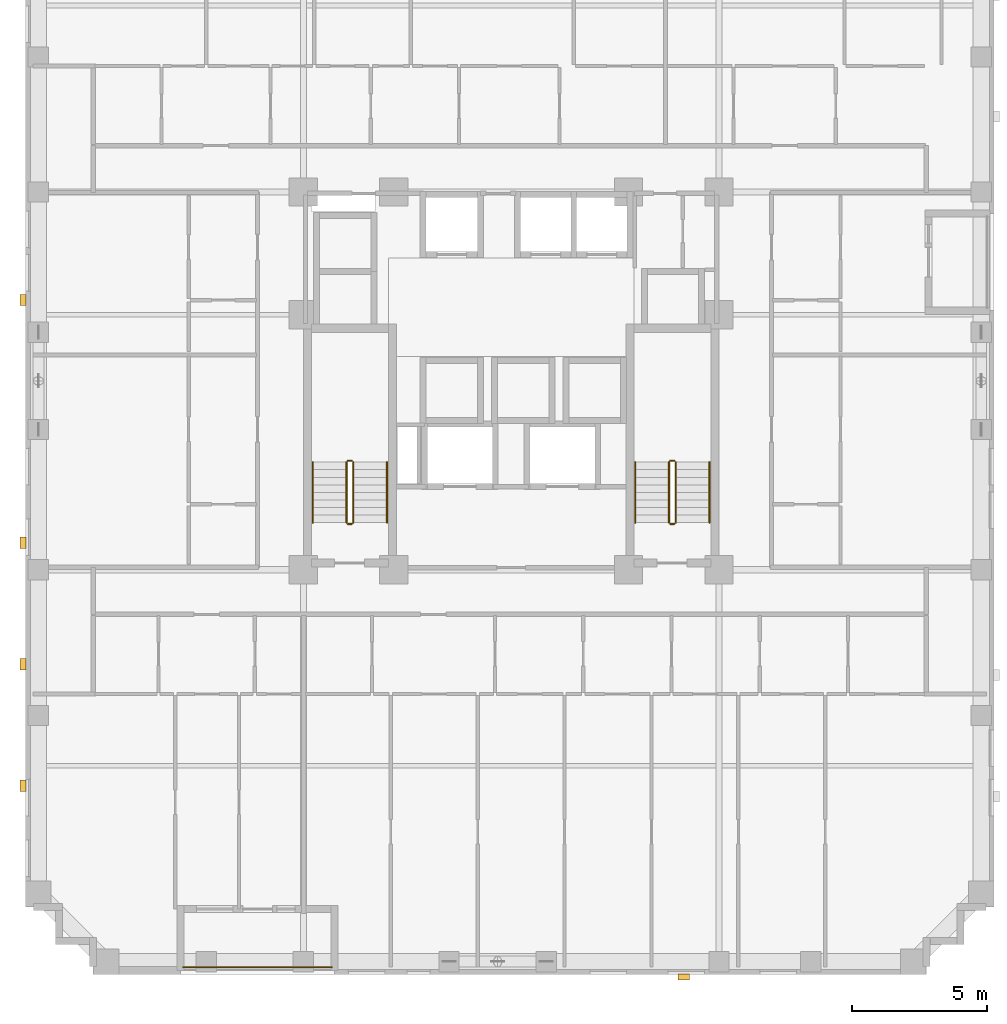
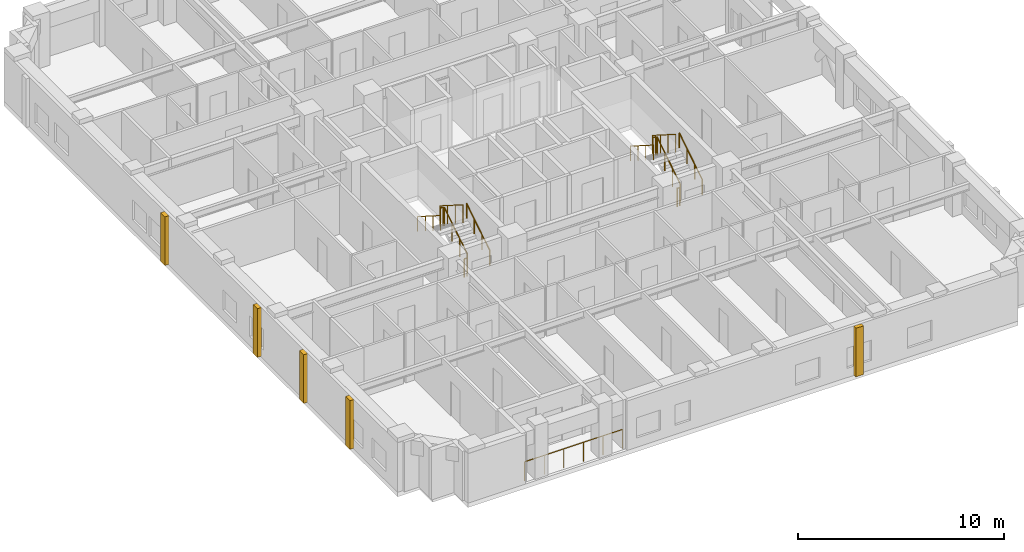
# One storey, part 11 of 12: 13 railings, 5 coverings.
"""IFC4 building model written with IfcOpenShell, lengths in metres."""

from ifc_helpers import new_model, si_unit, derived_unit, direction, frame, origin, origin_2d, place, context, subcontext, project, spatial, rectangle, circle, extrude, material, layer, layer_set, type_object, element, save


model = new_model("IFC4")

# Units and contexts
model_context = context("Model", 3, precision=1e-05, world=origin(), true_north=direction((0.0, 1.0)))
body_context = subcontext(model_context, "Body", "Model", "MODEL_VIEW")
ifc_project = project(units=[si_unit("LENGTHUNIT", "METRE"), si_unit("AREAUNIT", "SQUARE_METRE"), si_unit("VOLUMEUNIT", "CUBIC_METRE"), si_unit("PLANEANGLEUNIT", "RADIAN"), si_unit("MASSUNIT", "GRAM", prefix="KILO"), derived_unit("THERMALTRANSMITTANCEUNIT", [(si_unit("MASSUNIT", "GRAM", prefix="KILO"), 1), (si_unit("TIMEUNIT", "SECOND"), -3), (si_unit("THERMODYNAMICTEMPERATUREUNIT", "KELVIN"), -1)])], contexts=[model_context])

# Site, building, storey
site_placement = place(None, origin())
site = spatial("IfcSite", under=ifc_project, at=site_placement, CompositionType="ELEMENT")
building_placement = place(site_placement, origin())
building = spatial("IfcBuilding", under=site, at=building_placement, Name="Korrvale Station Residences", CompositionType="ELEMENT")
storey_placement = place(building_placement, frame((0.0, 0.0, 113.5)))
storey = spatial("IfcBuildingStorey", under=building, at=storey_placement, Name="L32", CompositionType="ELEMENT", Elevation=113.5)

# Coverings
ifc_material_1 = material(Name="Architectural precast concrete C45/55", Category="concrete")
ifc_layer = layer(ifc_material_1, 0.219970703125, Name="Architectural precast concrete C45/55")
ifc_layer_set = layer_set([ifc_layer], Name="Architectural precast concrete C45/55")
covering_type = type_object("IfcCoveringType", Name="COV-PIER-400", PredefinedType="CLADDING", material=ifc_layer_set)
for number, where, z_axis, x_axis, name in (
    (1, (31.89990234375, -0.090087890625, 0.02490234375), (0.0, 0.0, 1.0), (1.0, 0.0, 0.0), "L32 Architectural Precast Facade Pier 01"),
    (2, (7.409912109375, 7.0, 0.02490234375), (0.0, 0.0, 1.0), (0.0, 1.0, 0.0), "L32 Architectural Precast Facade Pier 04"),
    (3, (7.409912109375, 11.5, 0.02490234375), (0.0, 0.0, 1.0), (0.0, 1.0, 0.0), "L32 Architectural Precast Facade Pier 05"),
    (4, (7.409912109375, 16.0, 0.02490234375), (0.0, 0.0, 1.0), (0.0, 1.0, 0.0), "L32 Architectural Precast Facade Pier 06"),
    (5, (7.409912109375, 25.0, 0.02490234375), (0.0, 0.0, 1.0), (0.0, 1.0, 0.0), "L32 Architectural Precast Facade Pier 07"),
):
    element("IfcCovering", number, at=place(storey_placement, frame(where, z_axis=z_axis, x_axis=x_axis)), inside=storey, type_object=covering_type, Name=name, PredefinedType="CLADDING", context=body_context, shape_type="SweptSolid", body=[
        extrude(rectangle(XDim=0.419921875, YDim=0.219970703125, at=origin_2d()), origin(), (0.0, 0.0, 1.0), 2.889892578125),
    ])

# Railings
ifc_material_2 = material(Name="Powder-coated aluminium picket loggia guard", Category="aluminium")
railing_type_1 = type_object("IfcRailingType", Name="RLG-BAL-1150", PredefinedType="GUARDRAIL", material=ifc_material_2)
railing_1_placement = place(storey_placement, frame((13.35009765625, 0.27001953125, 0.0)))
element("IfcRailing", 6, at=railing_1_placement, inside=storey, type_object=railing_type_1, Name="L32 Recessed Loggia Guardrail BAL-L32-S1", PredefinedType="GUARDRAIL", context=body_context, shape_type="SweptSolid", body=[
    extrude(circle(Radius=0.02392578125, at=origin_2d()), frame((0.0, 0.0, 1.1259765625), z_axis=(1.0, 0.0, 0.0), x_axis=(0.0, 1.0, 0.0)), (0.0, 0.0, 1.0), 5.5),
    extrude(circle(Radius=0.02099609375, at=origin_2d()), origin(), (0.0, 0.0, 1.0), 1.101806640625),
    extrude(circle(Radius=0.02099609375, at=origin_2d()), frame((1.10009765625, 0.0, 0.0)), (0.0, 0.0, 1.0), 1.101806640625),
    extrude(circle(Radius=0.02099609375, at=origin_2d()), frame((2.199951171875, 0.0, 0.0)), (0.0, 0.0, 1.0), 1.101806640625),
    extrude(circle(Radius=0.02099609375, at=origin_2d()), frame((3.300048828125, 0.0, 0.0)), (0.0, 0.0, 1.0), 1.101806640625),
    extrude(circle(Radius=0.02099609375, at=origin_2d()), frame((4.39990234375, 0.0, 0.0)), (0.0, 0.0, 1.0), 1.101806640625),
    extrude(circle(Radius=0.02099609375, at=origin_2d()), frame((5.5, 0.0, 0.0)), (0.0, 0.0, 1.0), 1.101806640625),
])
ifc_material_3 = material(Name="Brushed stainless-steel continuous stair handrail", Category="steel")
railing_type_2 = type_object("IfcRailingType", Name="RLG-SHND-900", PredefinedType="HANDRAIL", material=ifc_material_3)
railing_2_placement = place(storey_placement, frame((20.89990234375, 16.75, 0.177734375)))
element("IfcRailing", 7, at=railing_2_placement, inside=storey, type_object=railing_type_2, Name="L32 ST-1 stair handrail 1", PredefinedType="HANDRAIL", context=body_context, shape_type="SweptSolid", body=[
    extrude(circle(Radius=0.02392578125, at=origin_2d()), frame((0.0, 0.0, 0.8759765625), z_axis=(0.0, 0.84418770128, 0.536047689118), x_axis=(-1.0, 0.0, 0.0)), (0.0, 0.0, 1.0), 2.6533203125),
    extrude(circle(Radius=0.02099609375, at=origin_2d()), origin(), (0.0, 0.0, 1.0), 0.851806640625),
    extrude(circle(Radius=0.02099609375, at=origin_2d()), frame((0.0, 0.74658203125, 0.47412109375)), (0.0, 0.0, 1.0), 0.851806640625),
    extrude(circle(Radius=0.02099609375, at=origin_2d()), frame((0.0, 1.493408203125, 0.9482421875)), (0.0, 0.0, 1.0), 0.851806640625),
    extrude(circle(Radius=0.02099609375, at=origin_2d()), frame((0.0, 2.239990234375, 1.42236328125)), (0.0, 0.0, 1.0), 0.851806640625),
])
railing_3_placement = place(storey_placement, frame((18.14990234375, 18.989990234375, 1.77783203125)))
element("IfcRailing", 8, at=railing_3_placement, inside=storey, type_object=railing_type_2, Name="L32 ST-1 stair handrail 2", PredefinedType="HANDRAIL", context=body_context, shape_type="SweptSolid", body=[
    extrude(circle(Radius=0.02392578125, at=origin_2d()), frame((0.0, 0.0, 0.8759765625), z_axis=(0.0, -0.8442293374, 0.53598211339), x_axis=(1.0, 0.0, 0.0)), (0.0, 0.0, 1.0), 2.6533203125),
    extrude(circle(Radius=0.02099609375, at=origin_2d()), origin(), (0.0, 0.0, 1.0), 0.851806640625),
    extrude(circle(Radius=0.02099609375, at=origin_2d()), frame((0.0, -0.74658203125, 0.47412109375)), (0.0, 0.0, 1.0), 0.851806640625),
    extrude(circle(Radius=0.02099609375, at=origin_2d()), frame((0.0, -1.493408203125, 0.947998046875)), (0.0, 0.0, 1.0), 0.851806640625),
    extrude(circle(Radius=0.02099609375, at=origin_2d()), frame((0.0, -2.239990234375, 1.422119140625)), (0.0, 0.0, 1.0), 0.851806640625),
])
railing_4_placement = place(storey_placement, frame((32.85009765625, 16.75, 0.177734375)))
element("IfcRailing", 9, at=railing_4_placement, inside=storey, type_object=railing_type_2, Name="L32 ST-2 stair handrail 1", PredefinedType="HANDRAIL", context=body_context, shape_type="SweptSolid", body=[
    extrude(circle(Radius=0.02392578125, at=origin_2d()), frame((0.0, 0.0, 0.8759765625), z_axis=(0.0, 0.84418770128, 0.536047689118), x_axis=(-1.0, 0.0, 0.0)), (0.0, 0.0, 1.0), 2.6533203125),
    extrude(circle(Radius=0.02099609375, at=origin_2d()), origin(), (0.0, 0.0, 1.0), 0.851806640625),
    extrude(circle(Radius=0.02099609375, at=origin_2d()), frame((0.0, 0.74658203125, 0.47412109375)), (0.0, 0.0, 1.0), 0.851806640625),
    extrude(circle(Radius=0.02099609375, at=origin_2d()), frame((0.0, 1.493408203125, 0.9482421875)), (0.0, 0.0, 1.0), 0.851806640625),
    extrude(circle(Radius=0.02099609375, at=origin_2d()), frame((0.0, 2.239990234375, 1.42236328125)), (0.0, 0.0, 1.0), 0.851806640625),
])
railing_5_placement = place(storey_placement, frame((30.10009765625, 18.989990234375, 1.77783203125)))
element("IfcRailing", 10, at=railing_5_placement, inside=storey, type_object=railing_type_2, Name="L32 ST-2 stair handrail 2", PredefinedType="HANDRAIL", context=body_context, shape_type="SweptSolid", body=[
    extrude(circle(Radius=0.02392578125, at=origin_2d()), frame((0.0, 0.0, 0.8759765625), z_axis=(0.0, -0.8442293374, 0.53598211339), x_axis=(1.0, 0.0, 0.0)), (0.0, 0.0, 1.0), 2.6533203125),
    extrude(circle(Radius=0.02099609375, at=origin_2d()), origin(), (0.0, 0.0, 1.0), 0.851806640625),
    extrude(circle(Radius=0.02099609375, at=origin_2d()), frame((0.0, -0.74658203125, 0.47412109375)), (0.0, 0.0, 1.0), 0.851806640625),
    extrude(circle(Radius=0.02099609375, at=origin_2d()), frame((0.0, -1.493408203125, 0.947998046875)), (0.0, 0.0, 1.0), 0.851806640625),
    extrude(circle(Radius=0.02099609375, at=origin_2d()), frame((0.0, -2.239990234375, 1.422119140625)), (0.0, 0.0, 1.0), 0.851806640625),
])
ifc_material_4 = material(Name="Galvanised painted tubular steel stair guard", Category="steel")
railing_type_3 = type_object("IfcRailingType", Name="RLG-STR-1100", PredefinedType="GUARDRAIL", material=ifc_material_4)
railing_6_placement = place(storey_placement, frame((19.64990234375, 16.75, 0.177734375)))
element("IfcRailing", 11, at=railing_6_placement, inside=storey, type_object=railing_type_3, Name="L32 ST-1 stair guard 1", PredefinedType="GUARDRAIL", context=body_context, shape_type="SweptSolid", body=[
    extrude(circle(Radius=0.02392578125, at=origin_2d()), frame((0.0, 0.0, 1.076171875), z_axis=(0.0, 0.84418770128, 0.536047689118), x_axis=(-1.0, 0.0, 0.0)), (0.0, 0.0, 1.0), 2.6533203125),
    extrude(circle(Radius=0.02099609375, at=origin_2d()), origin(), (0.0, 0.0, 1.0), 1.052001953125),
    extrude(circle(Radius=0.02099609375, at=origin_2d()), frame((0.0, 0.74658203125, 0.47412109375)), (0.0, 0.0, 1.0), 1.052001953125),
    extrude(circle(Radius=0.02099609375, at=origin_2d()), frame((0.0, 1.493408203125, 0.9482421875)), (0.0, 0.0, 1.0), 1.052001953125),
    extrude(circle(Radius=0.02099609375, at=origin_2d()), frame((0.0, 2.239990234375, 1.42236328125)), (0.0, 0.0, 1.0), 1.052001953125),
])
railing_7_placement = place(storey_placement, frame((19.60009765625, 19.0400390625, 1.60009765625)))
element("IfcRailing", 12, at=railing_7_placement, inside=storey, type_object=railing_type_3, Name="L32 ST-1 stair guard 2", PredefinedType="GUARDRAIL", context=body_context, shape_type="SweptSolid", body=[
    extrude(circle(Radius=0.02392578125, at=origin_2d()), frame((0.0, 0.0, 1.076171875), z_axis=(-1.0, 0.0, 0.0), x_axis=(0.0, -1.0, 0.0)), (0.0, 0.0, 1.0), 0.150146484375),
    extrude(circle(Radius=0.02099609375, at=origin_2d()), origin(), (0.0, 0.0, 1.0), 1.052001953125),
    extrude(circle(Radius=0.02099609375, at=origin_2d()), frame((-0.150146484375, 0.0, 0.0)), (0.0, 0.0, 1.0), 1.052001953125),
])
railing_8_placement = place(storey_placement, frame((19.39990234375, 18.989990234375, 1.77783203125)))
element("IfcRailing", 13, at=railing_8_placement, inside=storey, type_object=railing_type_3, Name="L32 ST-1 stair guard 3", PredefinedType="GUARDRAIL", context=body_context, shape_type="SweptSolid", body=[
    extrude(circle(Radius=0.02392578125, at=origin_2d()), frame((0.0, 0.0, 1.076171875), z_axis=(0.0, -0.8442293374, 0.53598211339), x_axis=(1.0, 0.0, 0.0)), (0.0, 0.0, 1.0), 2.6533203125),
    extrude(circle(Radius=0.02099609375, at=origin_2d()), origin(), (0.0, 0.0, 1.0), 1.052001953125),
    extrude(circle(Radius=0.02099609375, at=origin_2d()), frame((0.0, -0.74658203125, 0.47412109375)), (0.0, 0.0, 1.0), 1.052001953125),
    extrude(circle(Radius=0.02099609375, at=origin_2d()), frame((0.0, -1.493408203125, 0.947998046875)), (0.0, 0.0, 1.0), 1.052001953125),
    extrude(circle(Radius=0.02099609375, at=origin_2d()), frame((0.0, -2.239990234375, 1.422119140625)), (0.0, 0.0, 1.0), 1.052001953125),
])
railing_9_placement = place(storey_placement, frame((19.60009765625, 16.699951171875, 0.0)))
element("IfcRailing", 14, at=railing_9_placement, inside=storey, type_object=railing_type_3, Name="L32 ST-1 stair guard 4", PredefinedType="GUARDRAIL", context=body_context, shape_type="SweptSolid", body=[
    extrude(circle(Radius=0.02392578125, at=origin_2d()), frame((0.0, 0.0, 1.076171875), z_axis=(-1.0, 0.0, 0.0), x_axis=(0.0, -1.0, 0.0)), (0.0, 0.0, 1.0), 0.150146484375),
    extrude(circle(Radius=0.02099609375, at=origin_2d()), origin(), (0.0, 0.0, 1.0), 1.052001953125),
    extrude(circle(Radius=0.02099609375, at=origin_2d()), frame((-0.150146484375, 0.0, 0.0)), (0.0, 0.0, 1.0), 1.052001953125),
])
railing_10_placement = place(storey_placement, frame((31.60009765625, 16.75, 0.177734375)))
element("IfcRailing", 15, at=railing_10_placement, inside=storey, type_object=railing_type_3, Name="L32 ST-2 stair guard 1", PredefinedType="GUARDRAIL", context=body_context, shape_type="SweptSolid", body=[
    extrude(circle(Radius=0.02392578125, at=origin_2d()), frame((0.0, 0.0, 1.076171875), z_axis=(0.0, 0.84418770128, 0.536047689118), x_axis=(-1.0, 0.0, 0.0)), (0.0, 0.0, 1.0), 2.6533203125),
    extrude(circle(Radius=0.02099609375, at=origin_2d()), origin(), (0.0, 0.0, 1.0), 1.052001953125),
    extrude(circle(Radius=0.02099609375, at=origin_2d()), frame((0.0, 0.74658203125, 0.47412109375)), (0.0, 0.0, 1.0), 1.052001953125),
    extrude(circle(Radius=0.02099609375, at=origin_2d()), frame((0.0, 1.493408203125, 0.9482421875)), (0.0, 0.0, 1.0), 1.052001953125),
    extrude(circle(Radius=0.02099609375, at=origin_2d()), frame((0.0, 2.239990234375, 1.42236328125)), (0.0, 0.0, 1.0), 1.052001953125),
])
railing_11_placement = place(storey_placement, frame((31.550048828125, 19.0400390625, 1.60009765625)))
element("IfcRailing", 16, at=railing_11_placement, inside=storey, type_object=railing_type_3, Name="L32 ST-2 stair guard 2", PredefinedType="GUARDRAIL", context=body_context, shape_type="SweptSolid", body=[
    extrude(circle(Radius=0.02392578125, at=origin_2d()), frame((0.0, 0.0, 1.076171875), z_axis=(-1.0, 0.0, 0.0), x_axis=(0.0, -1.0, 0.0)), (0.0, 0.0, 1.0), 0.150146484375),
    extrude(circle(Radius=0.02099609375, at=origin_2d()), origin(), (0.0, 0.0, 1.0), 1.052001953125),
    extrude(circle(Radius=0.02099609375, at=origin_2d()), frame((-0.150146484375, 0.0, 0.0)), (0.0, 0.0, 1.0), 1.052001953125),
])
railing_12_placement = place(storey_placement, frame((31.35009765625, 18.989990234375, 1.77783203125)))
element("IfcRailing", 17, at=railing_12_placement, inside=storey, type_object=railing_type_3, Name="L32 ST-2 stair guard 3", PredefinedType="GUARDRAIL", context=body_context, shape_type="SweptSolid", body=[
    extrude(circle(Radius=0.02392578125, at=origin_2d()), frame((0.0, 0.0, 1.076171875), z_axis=(0.0, -0.8442293374, 0.53598211339), x_axis=(1.0, 0.0, 0.0)), (0.0, 0.0, 1.0), 2.6533203125),
    extrude(circle(Radius=0.02099609375, at=origin_2d()), origin(), (0.0, 0.0, 1.0), 1.052001953125),
    extrude(circle(Radius=0.02099609375, at=origin_2d()), frame((0.0, -0.74658203125, 0.47412109375)), (0.0, 0.0, 1.0), 1.052001953125),
    extrude(circle(Radius=0.02099609375, at=origin_2d()), frame((0.0, -1.493408203125, 0.947998046875)), (0.0, 0.0, 1.0), 1.052001953125),
    extrude(circle(Radius=0.02099609375, at=origin_2d()), frame((0.0, -2.239990234375, 1.422119140625)), (0.0, 0.0, 1.0), 1.052001953125),
])
railing_13_placement = place(storey_placement, frame((31.550048828125, 16.699951171875, 0.0)))
element("IfcRailing", 18, at=railing_13_placement, inside=storey, type_object=railing_type_3, Name="L32 ST-2 stair guard 4", PredefinedType="GUARDRAIL", context=body_context, shape_type="SweptSolid", body=[
    extrude(circle(Radius=0.02392578125, at=origin_2d()), frame((0.0, 0.0, 1.076171875), z_axis=(-1.0, 0.0, 0.0), x_axis=(0.0, -1.0, 0.0)), (0.0, 0.0, 1.0), 0.150146484375),
    extrude(circle(Radius=0.02099609375, at=origin_2d()), origin(), (0.0, 0.0, 1.0), 1.052001953125),
    extrude(circle(Radius=0.02099609375, at=origin_2d()), frame((-0.150146484375, 0.0, 0.0)), (0.0, 0.0, 1.0), 1.052001953125),
])

save(model, "model.ifc")
